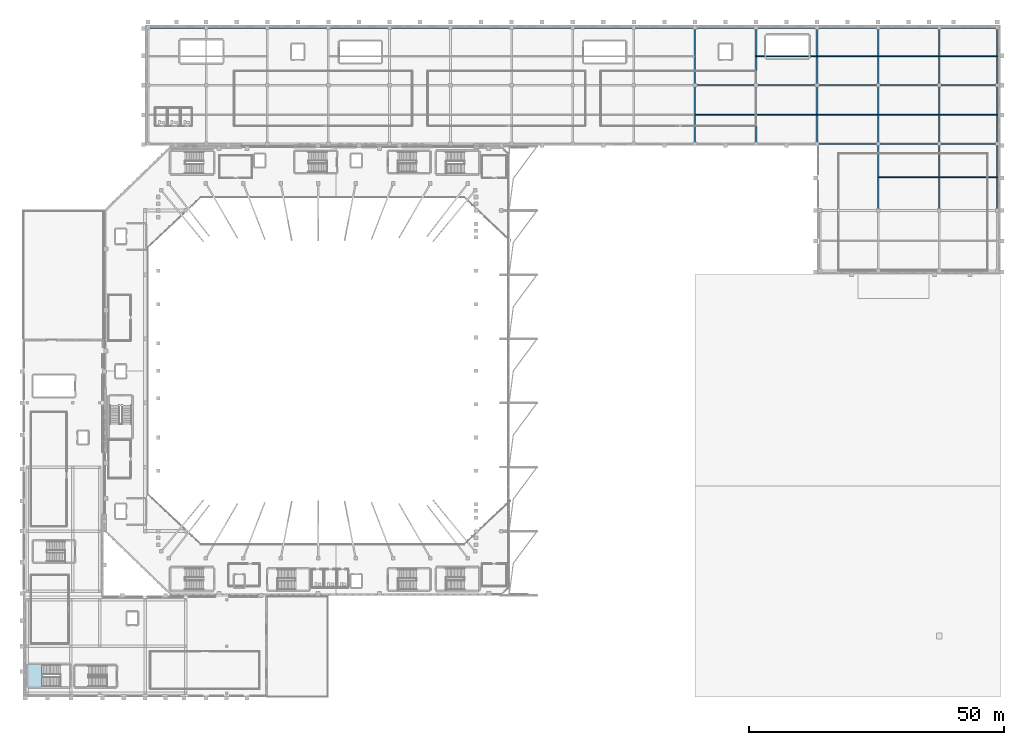
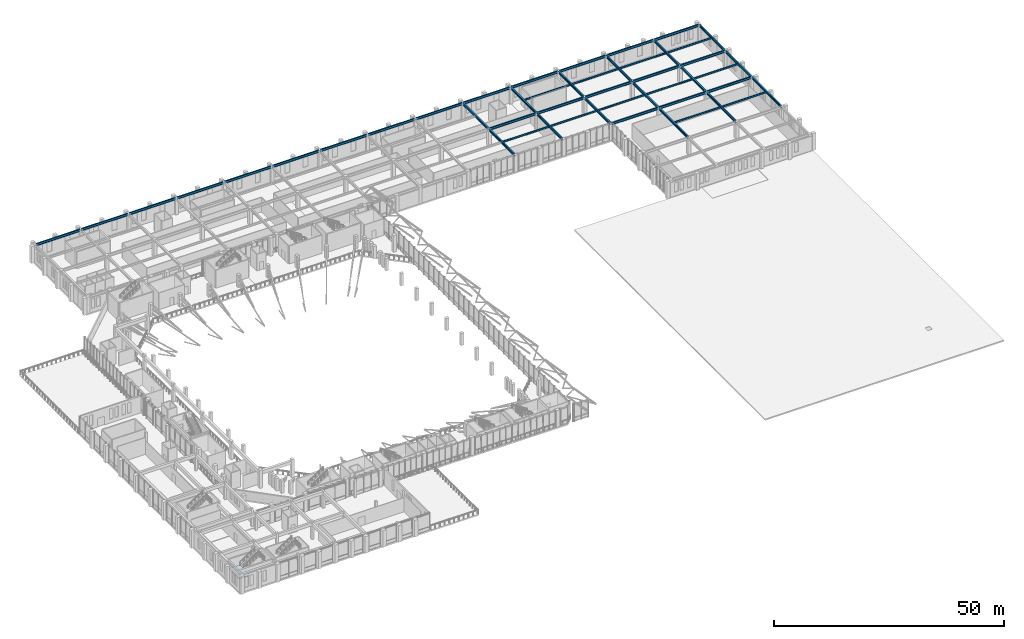
# One storey, part 40 of 79: 48 beams, 1 slab, 1 element without a shape of its own.
"""IFC4 building model written with IfcOpenShell, lengths in metres."""

from ifc_helpers import new_model, si_unit, derived_unit, direction, frame, origin, origin_2d, place, context, subcontext, project, spatial, polyline, i_section, outline, extrude, material, layer, layer_set, material_profile, profile_set, type_object, element, aggregate, save


model = new_model("IFC4")

# Units and contexts
model_context = context("Model", 3, precision=1e-05, world=origin(), true_north=direction((0.0, 1.0)))
body_context = subcontext(model_context, "Body", "Model", "MODEL_VIEW")
ifc_project = project(units=[si_unit("LENGTHUNIT", "METRE"), si_unit("AREAUNIT", "SQUARE_METRE"), si_unit("VOLUMEUNIT", "CUBIC_METRE"), si_unit("PLANEANGLEUNIT", "RADIAN"), si_unit("MASSUNIT", "GRAM", prefix="KILO"), derived_unit("THERMALTRANSMITTANCEUNIT", [(si_unit("MASSUNIT", "GRAM", prefix="KILO"), 1), (si_unit("TIMEUNIT", "SECOND"), -3), (si_unit("THERMODYNAMICTEMPERATUREUNIT", "KELVIN"), -1)])], contexts=[model_context])

# Site, building, storey
site_placement = place(None, origin())
site = spatial("IfcSite", under=ifc_project, at=site_placement, CompositionType="ELEMENT")
building_placement = place(site_placement, origin())
building = spatial("IfcBuilding", under=site, at=building_placement, Name="Valcora Ridge Arena", CompositionType="ELEMENT")
storey_placement = place(building_placement, frame((0.0, 0.0, 16.199951171875)))
storey = spatial("IfcBuildingStorey", under=building, at=storey_placement, Name="L03", CompositionType="ELEMENT", Elevation=16.199951171875)

# Beams
ifc_material_1 = material(Name="Steel ASTM A572 Grade 50", Category="steel")
ifc_material_profile_1 = material_profile(ifc_material_1, i_section(OverallWidth=0.324951171875, OverallDepth=0.612060546875, WebThickness=0.0126953125, FlangeThickness=0.01904296875, FilletRadius=0.01806640625, at=origin_2d()), Name="W24X104")
ifc_profile_set_1 = profile_set([ifc_material_profile_1], Name="Steel ASTM A572 Grade 50")
beam_type_1 = type_object("IfcBeamType", Name="TY-BEAM-G-W24X104-X", PredefinedType="BEAM", material=ifc_profile_set_1)
for number, where, z_axis, x_axis, name in (
    (1, (156.139892578125, 108.699951171875, 4.154052734375), (1.0, 0.0, 0.0), (0.0, 1.0, 0.0), "G-W24X104-X BEM-G-W24X104-X-0108"),
    (2, (168.139892578125, 108.699951171875, 4.154052734375), (1.0, 0.0, 0.0), (0.0, 1.0, 0.0), "G-W24X104-X BEM-G-W24X104-X-0109"),
):
    element("IfcBeam", number, at=place(storey_placement, frame(where, z_axis=z_axis, x_axis=x_axis)), inside=storey, type_object=beam_type_1, Name=name, PredefinedType="BEAM", context=body_context, shape_type="SweptSolid", body=[
        extrude(i_section(OverallWidth=0.324951171875, OverallDepth=0.612060546875, WebThickness=0.0126953125, FlangeThickness=0.01904296875, FilletRadius=0.01806640625, at=origin_2d()), origin(), (0.0, 0.0, 1.0), 11.72021484375),
    ])
beam_1_placement = place(storey_placement, frame((180.139892578125, 108.699951171875, 4.154052734375), z_axis=(1.0, 0.0, 0.0), x_axis=(0.0, 1.0, 0.0)))
element("IfcBeam", 3, at=beam_1_placement, inside=storey, type_object=beam_type_1, Name="G-W24X104-X BEM-G-W24X104-X-0110", PredefinedType="BEAM", context=body_context, shape_type="SweptSolid", body=[
    extrude(i_section(OverallWidth=0.324951171875, OverallDepth=0.612060546875, WebThickness=0.0126953125, FlangeThickness=0.01904296875, FilletRadius=0.01806640625, at=origin_2d()), origin(), (0.0, 0.0, 1.0), 11.1201171875),
])
for number, where, z_axis, x_axis, name in (
    (4, (132.139892578125, 120.199951171875, 4.154052734375), (1.0, 0.0, 0.0), (0.0, 1.0, 0.0), "G-W24X104-X BEM-G-W24X104-X-0120"),
    (5, (144.139892578125, 120.199951171875, 4.154052734375), (1.0, 0.0, 0.0), (0.0, 1.0, 0.0), "G-W24X104-X BEM-G-W24X104-X-0121"),
    (6, (156.139892578125, 120.199951171875, 4.154052734375), (1.0, 0.0, 0.0), (0.0, 1.0, 0.0), "G-W24X104-X BEM-G-W24X104-X-0122"),
    (7, (168.139892578125, 120.199951171875, 4.154052734375), (1.0, 0.0, 0.0), (0.0, 1.0, 0.0), "G-W24X104-X BEM-G-W24X104-X-0123"),
):
    element("IfcBeam", number, at=place(storey_placement, frame(where, z_axis=z_axis, x_axis=x_axis)), inside=storey, type_object=beam_type_1, Name=name, PredefinedType="BEAM", context=body_context, shape_type="SweptSolid", body=[
        extrude(i_section(OverallWidth=0.324951171875, OverallDepth=0.612060546875, WebThickness=0.0126953125, FlangeThickness=0.01904296875, FilletRadius=0.01806640625, at=origin_2d()), origin(), (0.0, 0.0, 1.0), 11.72021484375),
    ])
beam_2_placement = place(storey_placement, frame((180.139892578125, 120.199951171875, 4.154052734375), z_axis=(1.0, 0.0, 0.0), x_axis=(0.0, 1.0, 0.0)))
element("IfcBeam", 8, at=beam_2_placement, inside=storey, type_object=beam_type_1, Name="G-W24X104-X BEM-G-W24X104-X-0124", PredefinedType="BEAM", context=body_context, shape_type="SweptSolid", body=[
    extrude(i_section(OverallWidth=0.324951171875, OverallDepth=0.612060546875, WebThickness=0.0126953125, FlangeThickness=0.01904296875, FilletRadius=0.01806640625, at=origin_2d()), origin(), (0.0, 0.0, 1.0), 11.1201171875),
])
ifc_material_profile_2 = material_profile(ifc_material_1, i_section(OverallWidth=0.324951171875, OverallDepth=0.612060546875, WebThickness=0.0126953125, FlangeThickness=0.01904296875, FilletRadius=0.01806640625, at=origin_2d()), Name="W24X104")
ifc_profile_set_2 = profile_set([ifc_material_profile_2], Name="Steel ASTM A572 Grade 50")
beam_type_2 = type_object("IfcBeamType", Name="TY-BEAM-G-W24X104-Y", PredefinedType="BEAM", material=ifc_profile_set_2)
beam_3_placement = place(storey_placement, frame((132.0, 108.840087890625, 4.154052734375), z_axis=(0.0, 1.0, 0.0), x_axis=(-1.0, 0.0, 0.0)))
element("IfcBeam", 9, at=beam_3_placement, inside=storey, type_object=beam_type_2, Name="G-W24X104-Y BEM-G-W24X104-Y-0127", PredefinedType="BEAM", context=body_context, shape_type="SweptSolid", body=[
    extrude(i_section(OverallWidth=0.324951171875, OverallDepth=0.612060546875, WebThickness=0.0126953125, FlangeThickness=0.01904296875, FilletRadius=0.01806640625, at=origin_2d()), origin(), (0.0, 0.0, 1.0), 11.219970703125),
])
beam_4_placement = place(storey_placement, frame((132.0, 120.340087890625, 4.154052734375), z_axis=(0.0, 1.0, 0.0), x_axis=(-1.0, 0.0, 0.0)))
element("IfcBeam", 10, at=beam_4_placement, inside=storey, type_object=beam_type_2, Name="G-W24X104-Y BEM-G-W24X104-Y-0128", PredefinedType="BEAM", context=body_context, shape_type="SweptSolid", body=[
    extrude(i_section(OverallWidth=0.324951171875, OverallDepth=0.612060546875, WebThickness=0.0126953125, FlangeThickness=0.01904296875, FilletRadius=0.01806640625, at=origin_2d()), origin(), (0.0, 0.0, 1.0), 11.06982421875),
])
beam_5_placement = place(storey_placement, frame((144.0, 108.840087890625, 4.154052734375), z_axis=(0.0, 1.0, 0.0), x_axis=(-1.0, 0.0, 0.0)))
element("IfcBeam", 11, at=beam_5_placement, inside=storey, type_object=beam_type_2, Name="G-W24X104-Y BEM-G-W24X104-Y-0129", PredefinedType="BEAM", context=body_context, shape_type="SweptSolid", body=[
    extrude(i_section(OverallWidth=0.324951171875, OverallDepth=0.612060546875, WebThickness=0.0126953125, FlangeThickness=0.01904296875, FilletRadius=0.01806640625, at=origin_2d()), origin(), (0.0, 0.0, 1.0), 11.219970703125),
])
beam_6_placement = place(storey_placement, frame((144.0, 120.340087890625, 4.154052734375), z_axis=(0.0, 1.0, 0.0), x_axis=(-1.0, 0.0, 0.0)))
element("IfcBeam", 12, at=beam_6_placement, inside=storey, type_object=beam_type_2, Name="G-W24X104-Y BEM-G-W24X104-Y-0130", PredefinedType="BEAM", context=body_context, shape_type="SweptSolid", body=[
    extrude(i_section(OverallWidth=0.324951171875, OverallDepth=0.612060546875, WebThickness=0.0126953125, FlangeThickness=0.01904296875, FilletRadius=0.01806640625, at=origin_2d()), origin(), (0.0, 0.0, 1.0), 11.06982421875),
])
beam_7_placement = place(storey_placement, frame((156.0, 108.840087890625, 4.154052734375), z_axis=(0.0, 1.0, 0.0), x_axis=(-1.0, 0.0, 0.0)))
element("IfcBeam", 13, at=beam_7_placement, inside=storey, type_object=beam_type_2, Name="G-W24X104-Y BEM-G-W24X104-Y-0131", PredefinedType="BEAM", context=body_context, shape_type="SweptSolid", body=[
    extrude(i_section(OverallWidth=0.324951171875, OverallDepth=0.612060546875, WebThickness=0.0126953125, FlangeThickness=0.01904296875, FilletRadius=0.01806640625, at=origin_2d()), origin(), (0.0, 0.0, 1.0), 11.219970703125),
])
beam_8_placement = place(storey_placement, frame((156.0, 120.340087890625, 4.154052734375), z_axis=(0.0, 1.0, 0.0), x_axis=(-1.0, 0.0, 0.0)))
element("IfcBeam", 14, at=beam_8_placement, inside=storey, type_object=beam_type_2, Name="G-W24X104-Y BEM-G-W24X104-Y-0132", PredefinedType="BEAM", context=body_context, shape_type="SweptSolid", body=[
    extrude(i_section(OverallWidth=0.324951171875, OverallDepth=0.612060546875, WebThickness=0.0126953125, FlangeThickness=0.01904296875, FilletRadius=0.01806640625, at=origin_2d()), origin(), (0.0, 0.0, 1.0), 11.06982421875),
])
beam_9_placement = place(storey_placement, frame((168.0, 95.739990234375, 4.154052734375), z_axis=(0.0, 1.0, 0.0), x_axis=(-1.0, 0.0, 0.0)))
element("IfcBeam", 15, at=beam_9_placement, inside=storey, type_object=beam_type_2, Name="G-W24X104-Y BEM-G-W24X104-Y-0135", PredefinedType="BEAM", context=body_context, shape_type="SweptSolid", body=[
    extrude(i_section(OverallWidth=0.324951171875, OverallDepth=0.612060546875, WebThickness=0.0126953125, FlangeThickness=0.01904296875, FilletRadius=0.01806640625, at=origin_2d()), origin(), (0.0, 0.0, 1.0), 12.820068359375),
])
beam_10_placement = place(storey_placement, frame((168.0, 108.840087890625, 4.154052734375), z_axis=(0.0, 1.0, 0.0), x_axis=(-1.0, 0.0, 0.0)))
element("IfcBeam", 16, at=beam_10_placement, inside=storey, type_object=beam_type_2, Name="G-W24X104-Y BEM-G-W24X104-Y-0136", PredefinedType="BEAM", context=body_context, shape_type="SweptSolid", body=[
    extrude(i_section(OverallWidth=0.324951171875, OverallDepth=0.612060546875, WebThickness=0.0126953125, FlangeThickness=0.01904296875, FilletRadius=0.01806640625, at=origin_2d()), origin(), (0.0, 0.0, 1.0), 11.219970703125),
])
beam_11_placement = place(storey_placement, frame((168.0, 120.340087890625, 4.154052734375), z_axis=(0.0, 1.0, 0.0), x_axis=(-1.0, 0.0, 0.0)))
element("IfcBeam", 17, at=beam_11_placement, inside=storey, type_object=beam_type_2, Name="G-W24X104-Y BEM-G-W24X104-Y-0137", PredefinedType="BEAM", context=body_context, shape_type="SweptSolid", body=[
    extrude(i_section(OverallWidth=0.324951171875, OverallDepth=0.612060546875, WebThickness=0.0126953125, FlangeThickness=0.01904296875, FilletRadius=0.01806640625, at=origin_2d()), origin(), (0.0, 0.0, 1.0), 11.06982421875),
])
beam_12_placement = place(storey_placement, frame((180.0, 95.739990234375, 4.154052734375), z_axis=(0.0, 1.0, 0.0), x_axis=(-1.0, 0.0, 0.0)))
element("IfcBeam", 18, at=beam_12_placement, inside=storey, type_object=beam_type_2, Name="G-W24X104-Y BEM-G-W24X104-Y-0139", PredefinedType="BEAM", context=body_context, shape_type="SweptSolid", body=[
    extrude(i_section(OverallWidth=0.324951171875, OverallDepth=0.612060546875, WebThickness=0.0126953125, FlangeThickness=0.01904296875, FilletRadius=0.01806640625, at=origin_2d()), origin(), (0.0, 0.0, 1.0), 12.820068359375),
])
beam_13_placement = place(storey_placement, frame((180.0, 108.840087890625, 4.154052734375), z_axis=(0.0, 1.0, 0.0), x_axis=(-1.0, 0.0, 0.0)))
element("IfcBeam", 19, at=beam_13_placement, inside=storey, type_object=beam_type_2, Name="G-W24X104-Y BEM-G-W24X104-Y-0140", PredefinedType="BEAM", context=body_context, shape_type="SweptSolid", body=[
    extrude(i_section(OverallWidth=0.324951171875, OverallDepth=0.612060546875, WebThickness=0.0126953125, FlangeThickness=0.01904296875, FilletRadius=0.01806640625, at=origin_2d()), origin(), (0.0, 0.0, 1.0), 11.219970703125),
])
beam_14_placement = place(storey_placement, frame((180.0, 120.340087890625, 4.154052734375), z_axis=(0.0, 1.0, 0.0), x_axis=(-1.0, 0.0, 0.0)))
element("IfcBeam", 20, at=beam_14_placement, inside=storey, type_object=beam_type_2, Name="G-W24X104-Y BEM-G-W24X104-Y-0141", PredefinedType="BEAM", context=body_context, shape_type="SweptSolid", body=[
    extrude(i_section(OverallWidth=0.324951171875, OverallDepth=0.612060546875, WebThickness=0.0126953125, FlangeThickness=0.01904296875, FilletRadius=0.01806640625, at=origin_2d()), origin(), (0.0, 0.0, 1.0), 11.06982421875),
])
beam_15_placement = place(storey_placement, frame((191.39990234375, 95.739990234375, 4.154052734375), z_axis=(0.0, 1.0, 0.0), x_axis=(-1.0, 0.0, 0.0)))
element("IfcBeam", 21, at=beam_15_placement, inside=storey, type_object=beam_type_2, Name="G-W24X104-Y BEM-G-W24X104-Y-0143", PredefinedType="BEAM", context=body_context, shape_type="SweptSolid", body=[
    extrude(i_section(OverallWidth=0.324951171875, OverallDepth=0.612060546875, WebThickness=0.0126953125, FlangeThickness=0.01904296875, FilletRadius=0.01806640625, at=origin_2d()), origin(), (0.0, 0.0, 1.0), 12.820068359375),
])
beam_16_placement = place(storey_placement, frame((191.39990234375, 108.840087890625, 4.154052734375), z_axis=(0.0, 1.0, 0.0), x_axis=(-1.0, 0.0, 0.0)))
element("IfcBeam", 22, at=beam_16_placement, inside=storey, type_object=beam_type_2, Name="G-W24X104-Y BEM-G-W24X104-Y-0144", PredefinedType="BEAM", context=body_context, shape_type="SweptSolid", body=[
    extrude(i_section(OverallWidth=0.324951171875, OverallDepth=0.612060546875, WebThickness=0.0126953125, FlangeThickness=0.01904296875, FilletRadius=0.01806640625, at=origin_2d()), origin(), (0.0, 0.0, 1.0), 11.219970703125),
])
beam_17_placement = place(storey_placement, frame((191.39990234375, 120.340087890625, 4.154052734375), z_axis=(0.0, 1.0, 0.0), x_axis=(-1.0, 0.0, 0.0)))
element("IfcBeam", 23, at=beam_17_placement, inside=storey, type_object=beam_type_2, Name="G-W24X104-Y BEM-G-W24X104-Y-0145", PredefinedType="BEAM", context=body_context, shape_type="SweptSolid", body=[
    extrude(i_section(OverallWidth=0.324951171875, OverallDepth=0.612060546875, WebThickness=0.0126953125, FlangeThickness=0.01904296875, FilletRadius=0.01806640625, at=origin_2d()), origin(), (0.0, 0.0, 1.0), 11.06982421875),
])
ifc_material_profile_3 = material_profile(ifc_material_1, i_section(OverallWidth=0.18994140625, OverallDepth=0.45703125, WebThickness=0.009033203125, FlangeThickness=0.014404296875, FilletRadius=0.014892578125, at=origin_2d()), Name="W18X50")
ifc_profile_set_3 = profile_set([ifc_material_profile_3], Name="Steel ASTM A572 Grade 50")
beam_type_3 = type_object("IfcBeamType", Name="TY-BEAM-J-W18X50", PredefinedType="JOIST", material=ifc_profile_set_3)
for number, where, z_axis, x_axis, name in (
    (24, (132.10009765625, 114.449951171875, 4.2314453125), (1.0, 0.0, 0.0), (0.0, 1.0, 0.0), "J-W18X50 BEM-J-W18X50-0096"),
    (25, (144.10009765625, 114.449951171875, 4.2314453125), (1.0, 0.0, 0.0), (0.0, 1.0, 0.0), "J-W18X50 BEM-J-W18X50-0097"),
    (26, (144.10009765625, 125.875, 4.2314453125), (1.0, 0.0, 0.0), (0.0, 1.0, 0.0), "J-W18X50 BEM-J-W18X50-0098"),
    (27, (156.10009765625, 114.449951171875, 4.2314453125), (1.0, 0.0, 0.0), (0.0, 1.0, 0.0), "J-W18X50 BEM-J-W18X50-0099"),
    (28, (156.10009765625, 125.875, 4.2314453125), (1.0, 0.0, 0.0), (0.0, 1.0, 0.0), "J-W18X50 BEM-J-W18X50-0100"),
    (29, (168.10009765625, 102.14990234375, 4.2314453125), (1.0, 0.0, 0.0), (0.0, 1.0, 0.0), "J-W18X50 BEM-J-W18X50-0103"),
    (30, (168.10009765625, 114.449951171875, 4.2314453125), (1.0, 0.0, 0.0), (0.0, 1.0, 0.0), "J-W18X50 BEM-J-W18X50-0104"),
    (31, (168.10009765625, 125.875, 4.2314453125), (1.0, 0.0, 0.0), (0.0, 1.0, 0.0), "J-W18X50 BEM-J-W18X50-0105"),
):
    element("IfcBeam", number, at=place(storey_placement, frame(where, z_axis=z_axis, x_axis=x_axis)), inside=storey, type_object=beam_type_3, Name=name, PredefinedType="JOIST", context=body_context, shape_type="SweptSolid", body=[
        extrude(i_section(OverallWidth=0.18994140625, OverallDepth=0.45703125, WebThickness=0.009033203125, FlangeThickness=0.014404296875, FilletRadius=0.014892578125, at=origin_2d()), origin(), (0.0, 0.0, 1.0), 11.7998046875),
    ])
for number, where, z_axis, x_axis, name in (
    (32, (180.10009765625, 102.14990234375, 4.2314453125), (1.0, 0.0, 0.0), (0.0, 1.0, 0.0), "J-W18X50 BEM-J-W18X50-0107"),
    (33, (180.10009765625, 114.449951171875, 4.2314453125), (1.0, 0.0, 0.0), (0.0, 1.0, 0.0), "J-W18X50 BEM-J-W18X50-0108"),
    (34, (180.10009765625, 125.875, 4.2314453125), (1.0, 0.0, 0.0), (0.0, 1.0, 0.0), "J-W18X50 BEM-J-W18X50-0109"),
):
    element("IfcBeam", number, at=place(storey_placement, frame(where, z_axis=z_axis, x_axis=x_axis)), inside=storey, type_object=beam_type_3, Name=name, PredefinedType="JOIST", context=body_context, shape_type="SweptSolid", body=[
        extrude(i_section(OverallWidth=0.18994140625, OverallDepth=0.45703125, WebThickness=0.009033203125, FlangeThickness=0.014404296875, FilletRadius=0.014892578125, at=origin_2d()), origin(), (0.0, 0.0, 1.0), 11.199951171875),
    ])
ifc_material_profile_4 = material_profile(ifc_material_1, i_section(OverallWidth=0.324951171875, OverallDepth=0.612060546875, WebThickness=0.0126953125, FlangeThickness=0.01904296875, FilletRadius=0.01806640625, at=origin_2d()), Name="W24X104")
ifc_profile_set_4 = profile_set([ifc_material_profile_4], Name="Steel ASTM A572 Grade 50")
beam_type_4 = type_object("IfcBeamType", Name="TY-BEAM-SP-W24X104", PredefinedType="SPANDREL", material=ifc_profile_set_4)
beam_18_placement = place(storey_placement, frame((24.739990234375, 131.550048828125, 4.154052734375), z_axis=(1.0, 0.0, 0.0), x_axis=(0.0, 1.0, 0.0)))
element("IfcBeam", 35, at=beam_18_placement, inside=storey, type_object=beam_type_4, Name="SP-W24X104 BEM-SP-W24X104-0055", PredefinedType="SPANDREL", context=body_context, shape_type="SweptSolid", body=[
    extrude(i_section(OverallWidth=0.324951171875, OverallDepth=0.612060546875, WebThickness=0.0126953125, FlangeThickness=0.01904296875, FilletRadius=0.01806640625, at=origin_2d()), origin(), (0.0, 0.0, 1.0), 11.1201171875),
])
for number, where, z_axis, x_axis, name in (
    (36, (36.139892578125, 131.550048828125, 4.154052734375), (1.0, 0.0, 0.0), (0.0, 1.0, 0.0), "SP-W24X104 BEM-SP-W24X104-0056"),
    (37, (48.139892578125, 131.550048828125, 4.154052734375), (1.0, 0.0, 0.0), (0.0, 1.0, 0.0), "SP-W24X104 BEM-SP-W24X104-0057"),
    (38, (60.139892578125, 131.550048828125, 4.154052734375), (1.0, 0.0, 0.0), (0.0, 1.0, 0.0), "SP-W24X104 BEM-SP-W24X104-0058"),
    (39, (72.139892578125, 131.550048828125, 4.154052734375), (1.0, 0.0, 0.0), (0.0, 1.0, 0.0), "SP-W24X104 BEM-SP-W24X104-0059"),
    (40, (84.139892578125, 131.550048828125, 4.154052734375), (1.0, 0.0, 0.0), (0.0, 1.0, 0.0), "SP-W24X104 BEM-SP-W24X104-0060"),
    (41, (96.139892578125, 131.550048828125, 4.154052734375), (1.0, 0.0, 0.0), (0.0, 1.0, 0.0), "SP-W24X104 BEM-SP-W24X104-0061"),
    (42, (108.139892578125, 131.550048828125, 4.154052734375), (1.0, 0.0, 0.0), (0.0, 1.0, 0.0), "SP-W24X104 BEM-SP-W24X104-0062"),
    (43, (120.139892578125, 131.550048828125, 4.154052734375), (1.0, 0.0, 0.0), (0.0, 1.0, 0.0), "SP-W24X104 BEM-SP-W24X104-0063"),
    (44, (132.139892578125, 131.550048828125, 4.154052734375), (1.0, 0.0, 0.0), (0.0, 1.0, 0.0), "SP-W24X104 BEM-SP-W24X104-0064"),
    (45, (144.139892578125, 131.550048828125, 4.154052734375), (1.0, 0.0, 0.0), (0.0, 1.0, 0.0), "SP-W24X104 BEM-SP-W24X104-0065"),
    (46, (156.139892578125, 131.550048828125, 4.154052734375), (1.0, 0.0, 0.0), (0.0, 1.0, 0.0), "SP-W24X104 BEM-SP-W24X104-0066"),
    (47, (168.139892578125, 131.550048828125, 4.154052734375), (1.0, 0.0, 0.0), (0.0, 1.0, 0.0), "SP-W24X104 BEM-SP-W24X104-0067"),
):
    element("IfcBeam", number, at=place(storey_placement, frame(where, z_axis=z_axis, x_axis=x_axis)), inside=storey, type_object=beam_type_4, Name=name, PredefinedType="SPANDREL", context=body_context, shape_type="SweptSolid", body=[
        extrude(i_section(OverallWidth=0.324951171875, OverallDepth=0.612060546875, WebThickness=0.0126953125, FlangeThickness=0.01904296875, FilletRadius=0.01806640625, at=origin_2d()), origin(), (0.0, 0.0, 1.0), 11.72021484375),
    ])
beam_19_placement = place(storey_placement, frame((180.139892578125, 131.550048828125, 4.154052734375), z_axis=(1.0, 0.0, 0.0), x_axis=(0.0, 1.0, 0.0)))
element("IfcBeam", 48, at=beam_19_placement, inside=storey, type_object=beam_type_4, Name="SP-W24X104 BEM-SP-W24X104-0068", PredefinedType="SPANDREL", context=body_context, shape_type="SweptSolid", body=[
    extrude(i_section(OverallWidth=0.324951171875, OverallDepth=0.612060546875, WebThickness=0.0126953125, FlangeThickness=0.01904296875, FilletRadius=0.01806640625, at=origin_2d()), origin(), (0.0, 0.0, 1.0), 11.1201171875),
])

# Stair, slab
ifc_material_2 = material(Name="Concrete C40/50", Category="concrete")
stair_type = type_object("IfcStairType", Name="TY-STAIR-ST07-48", PredefinedType="HALF_TURN_STAIR", material=ifc_material_2)
stair_placement = place(storey_placement, origin())
stair = element("IfcStair", 49, at=stair_placement, inside=storey, type_object=stair_type, Name="ST07-48 STR-CR-0034", PredefinedType="HALF_TURN_STAIR")
ifc_layer = layer(ifc_material_2, 0.199951171875, Name="Concrete C40/50")
ifc_layer_set = layer_set([ifc_layer], Name="Concrete C40/50")
slab_type = type_object("IfcSlabType", Name="TY-LAND-ST07-48", PredefinedType="LANDING", material=ifc_layer_set)
slab_placement = place(storey_placement, frame((0.0, 0.0, 2.199951171875)))
slab = element("IfcSlab", 50, at=slab_placement, type_object=slab_type, Name="ST07-48 landing 1", PredefinedType="LANDING", context=body_context, shape_type="SweptSolid", body=[
    extrude(outline(polyline([(1.001953125, 2.001953125), (3.7900390625, 2.001953125), (3.7900390625, 6.39794921875), (1.001953125, 6.39794921875), (1.001953125, 2.001953125)])), origin(), (0.0, 0.0, 1.0), 0.2001953125),
])
aggregate(stair, [slab])

save(model, "model.ifc")
